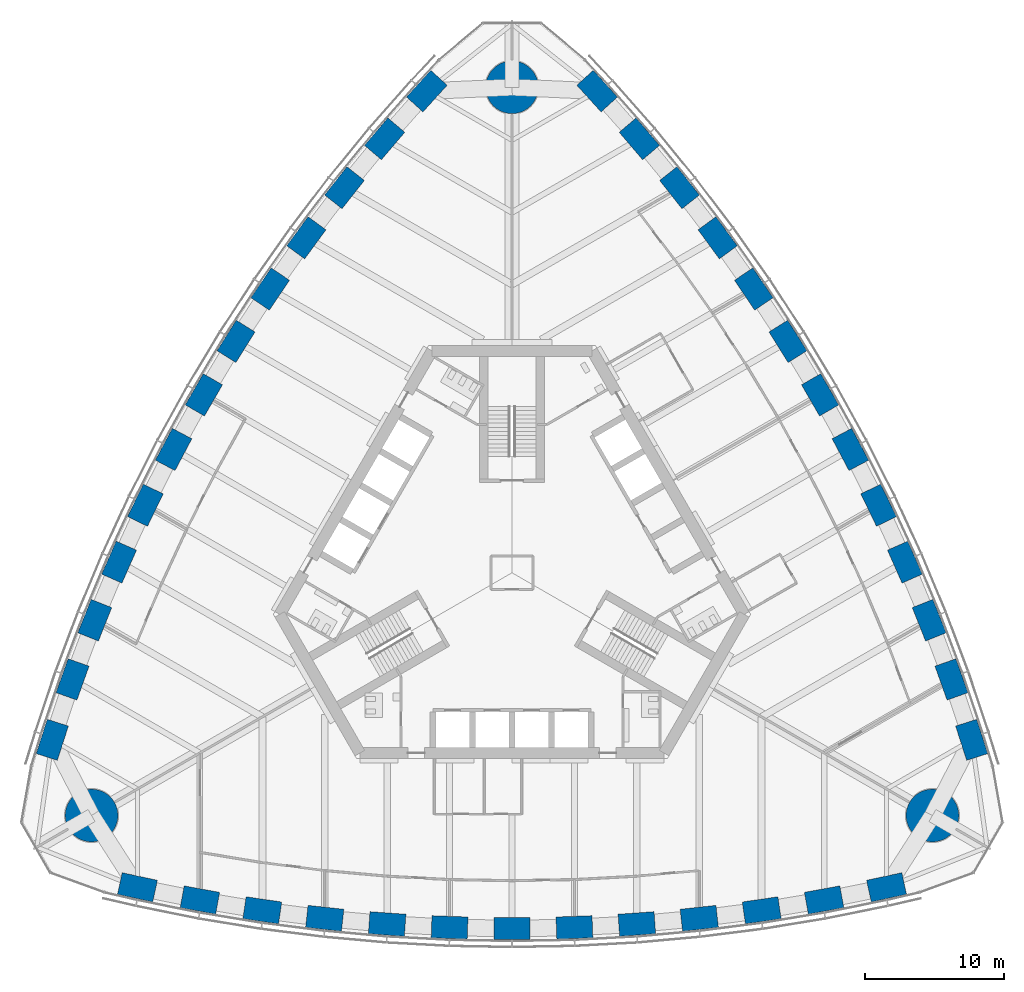
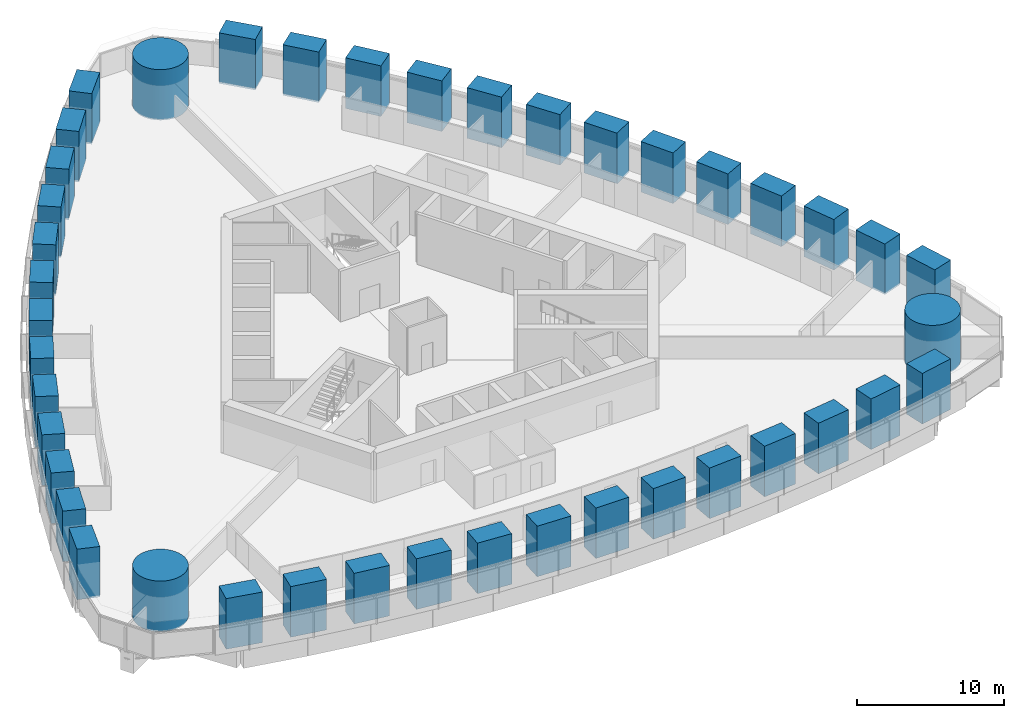
# One storey, part 1 of 18: 42 columns.
"""IFC4 building model written with IfcOpenShell, lengths in metres."""

from ifc_helpers import new_model, si_unit, direction, frame, origin, origin_2d, place, context, subcontext, project, spatial, rectangle, circle, extrude, material, material_profile, profile_set, type_object, element, save


model = new_model("IFC4")

# Units and contexts
model_context = context("Model", 3, precision=1e-05, world=origin(), true_north=direction((0.0, 1.0)))
body_context = subcontext(model_context, "Body", "Model", "MODEL_VIEW")
ifc_project = project(units=[si_unit("LENGTHUNIT", "METRE"), si_unit("AREAUNIT", "SQUARE_METRE"), si_unit("VOLUMEUNIT", "CUBIC_METRE"), si_unit("PLANEANGLEUNIT", "RADIAN"), si_unit("MASSUNIT", "GRAM", prefix="KILO")], contexts=[model_context])

# Site, building, storey
site_placement = place(None, origin())
site = spatial("IfcSite", under=ifc_project, at=site_placement, CompositionType="ELEMENT")
building_placement = place(site_placement, origin())
building = spatial("IfcBuilding", under=site, at=building_placement, Name="Trefoil Bronze Tower", CompositionType="ELEMENT")
storey_placement = place(building_placement, frame((0.0, 0.0, 174.5)))
storey = spatial("IfcBuildingStorey", under=building, at=storey_placement, Name="L40", CompositionType="ELEMENT", Elevation=174.5)

# Columns
ifc_material_1 = material(Name="Concrete B80", Category="concrete")
ifc_material_profile_1 = material_profile(ifc_material_1, circle(Radius=1.89990234375, at=origin_2d()), Name="RC D3800")
ifc_profile_set_1 = profile_set([ifc_material_profile_1], Name="Concrete B80")
column_type_1 = type_object("IfcColumnType", Name="Mega column RC D3800", PredefinedType="COLUMN", material=ifc_profile_set_1)
for number, where, z_axis, x_axis, name in (
    (1, (30.310791015625, -17.5, 0.0), (0.0, 0.0, 1.0), (1.0, 0.0, 0.0), "Mega column K1 L40"),
    (2, (0.0, 35.0, 0.0), (0.0, 0.0, 1.0), (1.0, 0.0, 0.0), "Mega column K2 L40"),
    (3, (-30.310791015625, -17.5, 0.0), (0.0, 0.0, 1.0), (1.0, 0.0, 0.0), "Mega column K3 L40"),
):
    element("IfcColumn", number, at=place(storey_placement, frame(where, z_axis=z_axis, x_axis=x_axis)), inside=storey, type_object=column_type_1, Name=name, PredefinedType="COLUMN", context=body_context, shape_type="SweptSolid", body=[
        extrude(circle(Radius=1.89990234375, at=origin_2d()), origin(), (0.0, 0.0, 1.0), 4.199951171875),
    ])
ifc_material_2 = material(Name="Concrete B80", Category="concrete")
ifc_material_profile_2 = material_profile(ifc_material_2, rectangle(XDim=2.60009765625, YDim=1.60009765625, at=origin_2d()), Name="RC 2600x1600")
ifc_profile_set_2 = profile_set([ifc_material_profile_2], Name="Concrete B80")
column_type_2 = type_object("IfcColumnType", Name="Tube column RC 2600x1600", PredefinedType="COLUMN", material=ifc_profile_set_2)
for number, where, z_axis, x_axis, name in (
    (4, (-27.0, -22.67724609375, 0.0), (0.0, 0.0, 1.0), (0.977276081214, -0.21197042503, 0.0), "Tube column F1/-6 L40"),
    (5, (-22.5, -23.592529296875, 0.0), (0.0, 0.0, 1.0), (0.98362250613, -0.180240853954, 0.0), "Tube column F1/-5 L40"),
    (6, (-18.0, -24.337158203125, 0.0), (0.0, 0.0, 1.0), (0.989549714366, -0.144192103798, 0.0), "Tube column F1/-4 L40"),
    (7, (-13.5, -24.9130859375, 0.0), (0.0, 0.0, 1.0), (0.994135267447, -0.108143747013, 0.0), "Tube column F1/-3 L40"),
    (8, (-9.0, -25.32275390625, 0.0), (0.0, 0.0, 1.0), (0.997397720802, -0.072095676284, 0.0), "Tube column F1/-2 L40"),
    (9, (-4.5, -25.568115234375, 0.0), (0.0, 0.0, 1.0), (0.999350067136, -0.036047792107, 0.0), "Tube column F1/-1 L40"),
    (10, (0.0, -25.649658203125, 0.0), (0.0, 0.0, 1.0), (1.0, 0.0, 0.0), "Tube column F1/+0 L40"),
    (11, (4.5, -25.568115234375, 0.0), (0.0, 0.0, 1.0), (0.999350067136, 0.036047792107, 0.0), "Tube column F1/+1 L40"),
    (12, (9.0, -25.32275390625, 0.0), (0.0, 0.0, 1.0), (0.997397720802, 0.072095676284, 0.0), "Tube column F1/+2 L40"),
    (13, (13.5, -24.9130859375, 0.0), (0.0, 0.0, 1.0), (0.994135267447, 0.108143747013, 0.0), "Tube column F1/+3 L40"),
    (14, (18.0, -24.337158203125, 0.0), (0.0, 0.0, 1.0), (0.989549714366, 0.144192103798, 0.0), "Tube column F1/+4 L40"),
    (15, (22.5, -23.592529296875, 0.0), (0.0, 0.0, 1.0), (0.98362250613, 0.180240853954, 0.0), "Tube column F1/+5 L40"),
    (16, (27.0, -22.67724609375, 0.0), (0.0, 0.0, 1.0), (0.977276081214, 0.21197042503, 0.0), "Tube column F1/+6 L40"),
    (17, (33.13916015625, -12.044189453125, 0.0), (0.0, 0.0, 1.0), (-0.30506626768, 0.952331125357, 0.0), "Tube column F2/-6 L40"),
    (18, (31.681884765625, -7.689208984375, 0.0), (0.0, 0.0, 1.0), (-0.335718094742, 0.94196250502, 0.0), "Tube column F2/-5 L40"),
    (19, (30.07666015625, -3.419921875, 0.0), (0.0, 0.0, 1.0), (-0.369900832269, 0.929071242848, 0.0), "Tube column F2/-4 L40"),
    (20, (28.325439453125, 0.76513671875, 0.0), (0.0, 0.0, 1.0), (-0.40341240155, 0.915018269914, 0.0), "Tube column F2/-3 L40"),
    (21, (26.43017578125, 4.8671875, 0.0), (0.0, 0.0, 1.0), (-0.436262173236, 0.899819602033, 0.0), "Tube column F2/-2 L40"),
    (22, (24.392578125, 8.886962890625, 0.0), (0.0, 0.0, 1.0), (-0.468456729853, 0.883486441467, 0.0), "Tube column F2/-1 L40"),
    (23, (22.21337890625, 12.824951171875, 0.0), (0.0, 0.0, 1.0), (-0.5, 0.866025403784, 0.0), "Tube column F2/+0 L40"),
    (24, (19.892578125, 16.68115234375, 0.0), (0.0, 0.0, 1.0), (-0.530893337283, 0.84743864936, 0.0), "Tube column F2/+1 L40"),
    (25, (17.43017578125, 20.45556640625, 0.0), (0.0, 0.0, 1.0), (-0.561135547566, 0.827723925749, 0.0), "Tube column F2/+2 L40"),
    (26, (14.825439453125, 24.14794921875, 0.0), (0.0, 0.0, 1.0), (-0.590722865897, 0.806874522901, 0.0), "Tube column F2/+3 L40"),
    (27, (12.07666015625, 27.757080078125, 0.0), (0.0, 0.0, 1.0), (-0.619648882098, 0.78487913905, 0.0), "Tube column F2/+4 L40"),
    (28, (9.181884765625, 31.281982421875, 0.0), (0.0, 0.0, 1.0), (-0.647904411389, 0.761721651066, 0.0), "Tube column F2/+5 L40"),
    (29, (6.13916015625, 34.72119140625, 0.0), (0.0, 0.0, 1.0), (-0.672209813534, 0.740360700327, 0.0), "Tube column F2/+6 L40"),
    (30, (-6.13916015625, 34.72119140625, 0.0), (0.0, 0.0, 1.0), (-0.672209813534, -0.740360700327, 0.0), "Tube column F3/-6 L40"),
    (31, (-9.181884765625, 31.281982421875, 0.0), (0.0, 0.0, 1.0), (-0.647904411389, -0.761721651066, 0.0), "Tube column F3/-5 L40"),
    (32, (-12.07666015625, 27.757080078125, 0.0), (0.0, 0.0, 1.0), (-0.619648882098, -0.78487913905, 0.0), "Tube column F3/-4 L40"),
    (33, (-14.825439453125, 24.14794921875, 0.0), (0.0, 0.0, 1.0), (-0.590722865897, -0.806874522901, 0.0), "Tube column F3/-3 L40"),
    (34, (-17.43017578125, 20.45556640625, 0.0), (0.0, 0.0, 1.0), (-0.561135547566, -0.827723925749, 0.0), "Tube column F3/-2 L40"),
    (35, (-19.892578125, 16.68115234375, 0.0), (0.0, 0.0, 1.0), (-0.530893337283, -0.84743864936, 0.0), "Tube column F3/-1 L40"),
    (36, (-22.21337890625, 12.824951171875, 0.0), (0.0, 0.0, 1.0), (-0.5, -0.866025403784, 0.0), "Tube column F3/+0 L40"),
    (37, (-24.392578125, 8.886962890625, 0.0), (0.0, 0.0, 1.0), (-0.468456729853, -0.883486441467, 0.0), "Tube column F3/+1 L40"),
    (38, (-26.43017578125, 4.8671875, 0.0), (0.0, 0.0, 1.0), (-0.436262173236, -0.899819602033, 0.0), "Tube column F3/+2 L40"),
    (39, (-28.325439453125, 0.76513671875, 0.0), (0.0, 0.0, 1.0), (-0.40341240155, -0.915018269914, 0.0), "Tube column F3/+3 L40"),
    (40, (-30.07666015625, -3.419921875, 0.0), (0.0, 0.0, 1.0), (-0.369900832269, -0.929071242848, 0.0), "Tube column F3/+4 L40"),
    (41, (-31.681884765625, -7.689208984375, 0.0), (0.0, 0.0, 1.0), (-0.335718094742, -0.94196250502, 0.0), "Tube column F3/+5 L40"),
    (42, (-33.13916015625, -12.044189453125, 0.0), (0.0, 0.0, 1.0), (-0.30506626768, -0.952331125357, 0.0), "Tube column F3/+6 L40"),
):
    element("IfcColumn", number, at=place(storey_placement, frame(where, z_axis=z_axis, x_axis=x_axis)), inside=storey, type_object=column_type_2, Name=name, PredefinedType="COLUMN", context=body_context, shape_type="SweptSolid", body=[
        extrude(rectangle(XDim=2.60009765625, YDim=1.60009765625, at=origin_2d()), origin(), (0.0, 0.0, 1.0), 4.199951171875),
    ])

save(model, "model.ifc")
